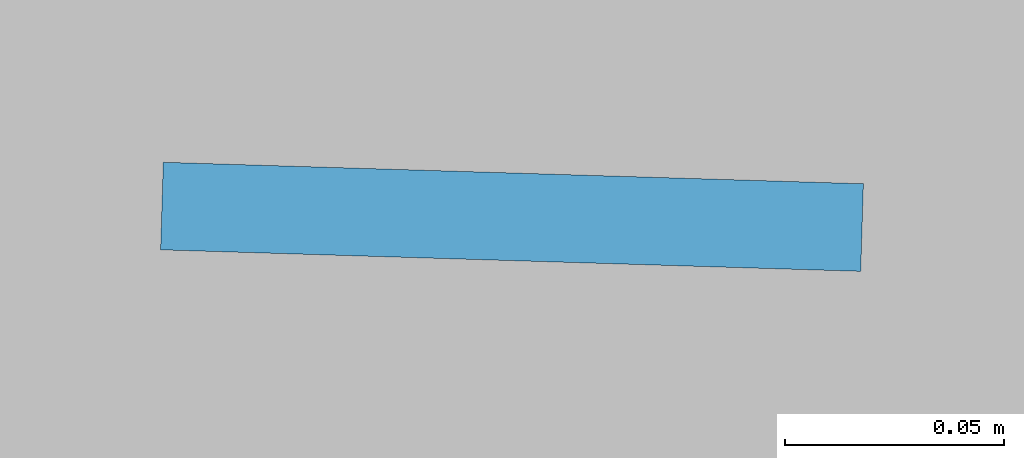
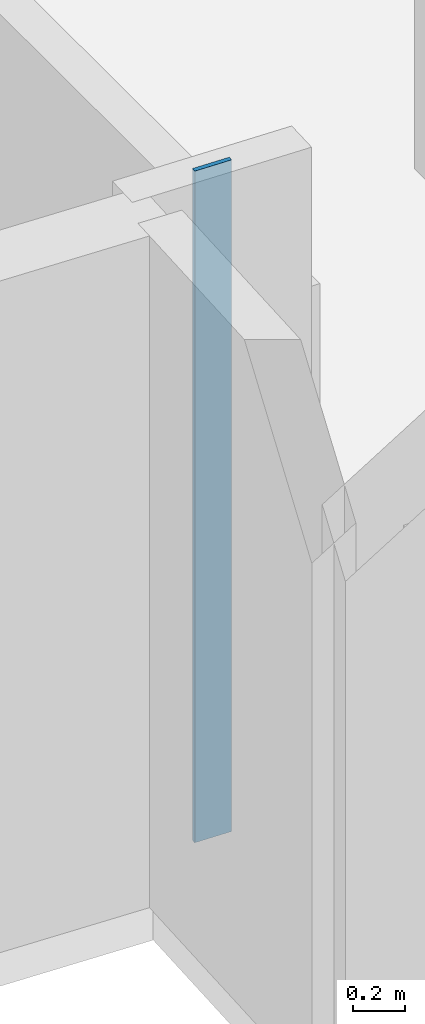
# One storey, part 2 of 13: 1 plate.
"""IFC4 building model written with IfcOpenShell, lengths in metres."""

from ifc_helpers import new_model, si_unit, direction, frame, origin, origin_2d, place, context, subcontext, project, spatial, rectangle, extrude, material, layer, layer_set, type_object, element, save


model = new_model("IFC4")

# Units and contexts
model_context = context("Model", 3, precision=1e-05, world=origin(), true_north=direction((0.0, 1.0)))
body_context = subcontext(model_context, "Body", "Model", "MODEL_VIEW")
ifc_project = project(units=[si_unit("LENGTHUNIT", "METRE"), si_unit("AREAUNIT", "SQUARE_METRE"), si_unit("VOLUMEUNIT", "CUBIC_METRE"), si_unit("PLANEANGLEUNIT", "RADIAN"), si_unit("MASSUNIT", "GRAM", prefix="KILO")], contexts=[model_context])

# Site, building, storey
site_placement = place(None, origin())
site = spatial("IfcSite", under=ifc_project, at=site_placement, CompositionType="ELEMENT")
building_placement = place(site_placement, origin())
building = spatial("IfcBuilding", under=site, at=building_placement, Name="Miruveldt Soraemaru", CompositionType="ELEMENT")
storey_placement = place(building_placement, frame((0.0, 0.0, 46.199951171875)))
storey = spatial("IfcBuildingStorey", under=building, at=storey_placement, Name="L12", CompositionType="ELEMENT", Elevation=46.199951171875)

# Plate
ifc_material = material(Name="Anodised aluminium EN AW-6063 T6", Category="aluminium")
ifc_layer = layer(ifc_material, 0.02001953125, Name="Anodised aluminium EN AW-6063 T6", Category="aluminium")
ifc_layer_set = layer_set([ifc_layer], Name="Anodised aluminium EN AW-6063 T6")
plate_type = type_object("IfcPlateType", Name="PLT-PART-TRIM", PredefinedType="SHEET", material=ifc_layer_set)
plate_placement = place(storey_placement, frame((40.615478515625, 22.680908203125, 0.0), z_axis=(0.0, 0.0, 1.0), x_axis=(-0.999528245637, 0.030712964265, 0.0)))
element("IfcPlate", 1, at=plate_placement, inside=storey, type_object=plate_type, Name="L12 Partition Step Corner Trim Plate 001", PredefinedType="SHEET", context=body_context, shape_type="SweptSolid", body=[
    extrude(rectangle(XDim=0.159912109375, YDim=0.02001953125, at=origin_2d()), origin(), (0.0, 0.0, 1.0), 3.125),
])

save(model, "model.ifc")
